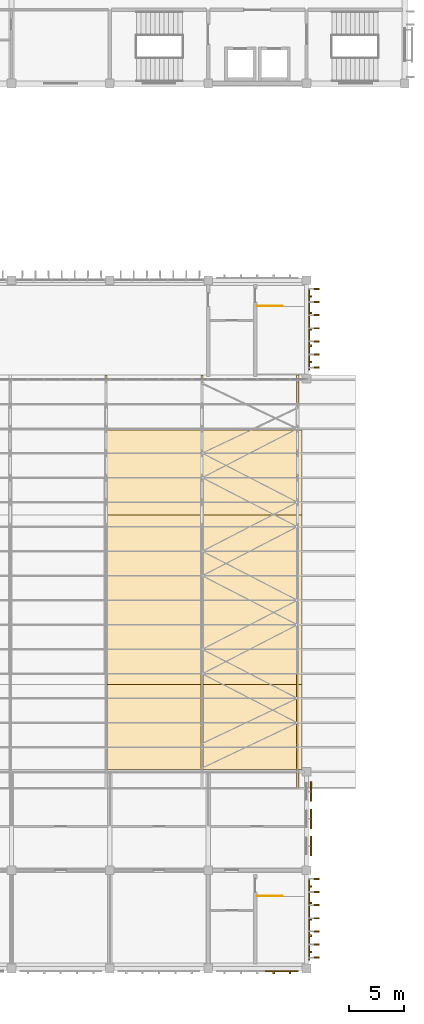
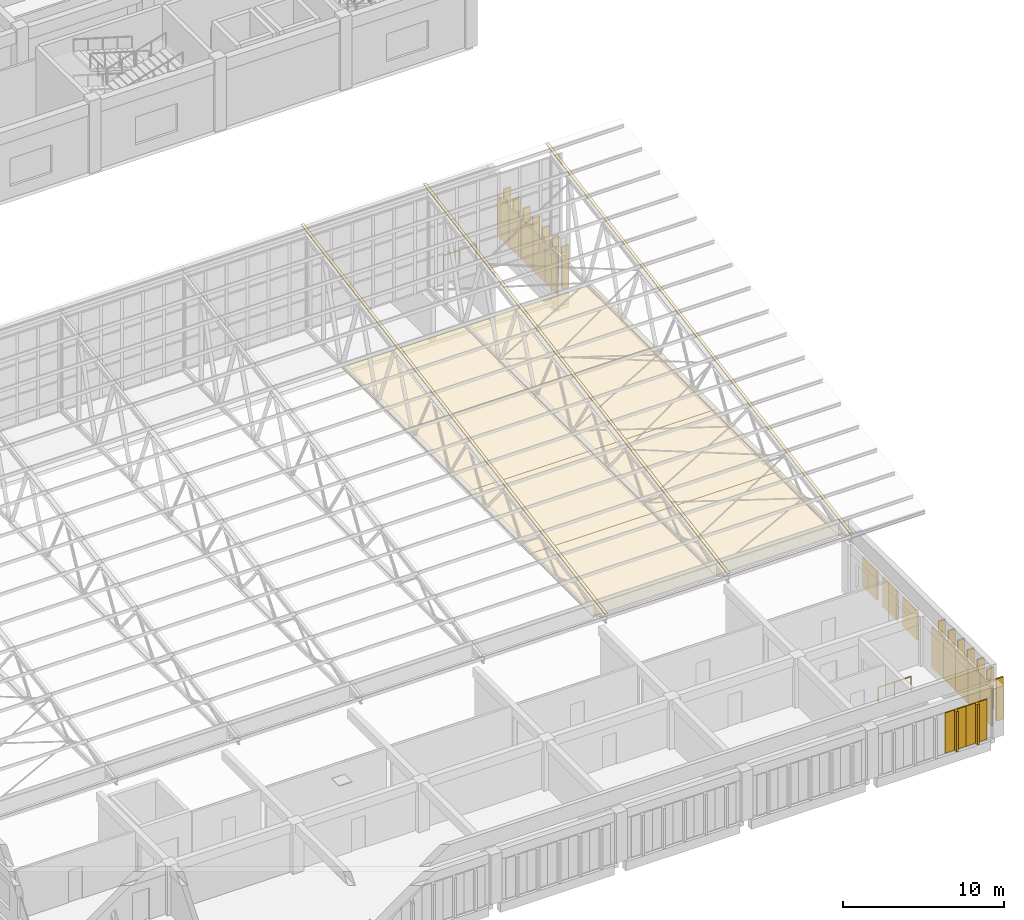
# One storey, part 180 of 185: 41 coverings, 3 shading devices, 2 railings.
"""IFC4 building model written with IfcOpenShell, lengths in metres."""

import ifcopenshell
import ifcopenshell.guid

model = None  # the IFC model being written
_history = None  # IfcOwnerHistory: only IFC2X3 demands one
_inside = {}  # id of a spatial element -> (the spatial element, [elements in it])
_under = {}  # id of a project, library or spatial element -> (it, [spatial elements below it])
_declared = {}  # id of a project -> (the project, [libraries it declares])
_typed = {}  # id of a type object -> (the type object, [elements of that type])
_made_of = {}  # id of a material, layer set ... -> (it, [elements and type objects made of it])


def new_model(schema):
    """Start an empty IFC model of exactly this schema.

    Asked for "IFC4X3", IfcOpenShell would pick the latest addendum, in which some entities
    have other attributes; the version numbers below select the first issue.
    IFC2X3 requires an IfcOwnerHistory on every rooted entity: one is made here for all.
    """
    global model, _history
    if schema == "IFC4X3":
        model = ifcopenshell.file(schema_version=(4, 3, 0, 0))
    else:
        model = ifcopenshell.file(schema=schema)
    _inside.clear()
    _under.clear()
    _declared.clear()
    _typed.clear()
    _made_of.clear()
    _history = None
    if model.schema == "IFC2X3":
        org = make("IfcOrganization", Name="unknown")
        user = make(
            "IfcPersonAndOrganization",
            ThePerson=make("IfcPerson", FamilyName="unknown"),
            TheOrganization=org,
        )
        app = make(
            "IfcApplication",
            ApplicationDeveloper=org,
            Version="unknown",
            ApplicationFullName="unknown",
            ApplicationIdentifier="unknown",
        )
        _history = make(
            "IfcOwnerHistory",
            OwningUser=user,
            OwningApplication=app,
            ChangeAction="ADDED",
            CreationDate=0,
        )
    return model


def make(cls, **values):
    """One entity of the class cls with the attributes given. An attribute that is None is left unset."""
    return model.create_entity(
        cls, **{name: value for name, value in values.items() if value is not None}
    )


def rooted(cls, **values):
    """An entity with a GlobalId (a new one), such as an element, a storey or a relation."""
    return make(cls, GlobalId=ifcopenshell.guid.new(), OwnerHistory=_history, **values)


def si_unit(unit_type, name, prefix=None):
    """IfcSIUnit, for example si_unit("LENGTHUNIT", "METRE", prefix="MILLI")."""
    return make("IfcSIUnit", UnitType=unit_type, Prefix=prefix, Name=name)


def assignment(units):
    """IfcUnitAssignment: the units of a project."""
    return None if units is None else make("IfcUnitAssignment", Units=units)


def point(xyz):
    """IfcCartesianPoint."""
    return None if xyz is None else make("IfcCartesianPoint", Coordinates=xyz)


def direction(xyz):
    """IfcDirection."""
    return None if xyz is None else make("IfcDirection", DirectionRatios=xyz)


def frame(location, z_axis=None, x_axis=None):
    """IfcAxis2Placement3D, a coordinate frame: its origin and axes. An axis left out is left unset."""
    return make(
        "IfcAxis2Placement3D",
        Location=point(location),
        Axis=direction(z_axis),
        RefDirection=direction(x_axis),
    )


def frame_2d(location, x_axis=None):
    """IfcAxis2Placement2D, a coordinate frame in the plane: its origin and x axis."""
    return make(
        "IfcAxis2Placement2D", Location=point(location), RefDirection=direction(x_axis)
    )


def origin():
    """The frame at (0, 0, 0) with its axes left unset."""
    return frame((0.0, 0.0, 0.0))


def origin_2d():
    """The frame at (0, 0) in the plane with its x axis left unset."""
    return frame_2d((0.0, 0.0))


def place(relative_to, where):
    """IfcLocalPlacement: puts the frame where relative to a parent placement (None: the world)."""
    return make(
        "IfcLocalPlacement", PlacementRelTo=relative_to, RelativePlacement=where
    )


def context(
    kind, dimensions, precision=None, world=None, true_north=None, identifier=None
):
    """IfcGeometricRepresentationContext, for example the 3D "Model" context."""
    return make(
        "IfcGeometricRepresentationContext",
        ContextIdentifier=identifier,
        ContextType=kind,
        CoordinateSpaceDimension=dimensions,
        Precision=precision,
        WorldCoordinateSystem=world,
        TrueNorth=true_north,
    )


def subcontext(parent, identifier, kind, view, scale=None):
    """IfcGeometricRepresentationSubContext, for example "Body" below "Model"."""
    return make(
        "IfcGeometricRepresentationSubContext",
        ContextIdentifier=identifier,
        ContextType=kind,
        ParentContext=parent,
        TargetScale=scale,
        TargetView=view,
    )


def project(units=None, contexts=None):
    """IfcProject with its units and contexts."""
    return rooted(
        "IfcProject",
        Name="project",
        RepresentationContexts=contexts,
        UnitsInContext=assignment(units),
    )


def spatial(cls, under=None, at=None, **own):
    """A site, building, storey or space (cls), placed at a placement, below another one or the project."""
    s = rooted(cls, ObjectPlacement=at, **own)
    if under is not None:
        _under.setdefault(under.id(), (under, []))[1].append(s)
    return s


def polyline(points):
    """IfcPolyline through the points."""
    return make("IfcPolyline", Points=[point(p) for p in points])


def profile(cls, at=None, kind="AREA", **sizes):
    """A parametric profile (cls). Its sizes go by their IFC names, for example OverallWidth=200.0."""
    return make(cls, ProfileType=kind, Position=at, **sizes)


def rectangle(**sizes):
    """IfcRectangleProfileDef."""
    return profile("IfcRectangleProfileDef", **sizes)


def circle(**sizes):
    """IfcCircleProfileDef."""
    return profile("IfcCircleProfileDef", **sizes)


def outline(outer, holes=None, kind="AREA"):
    """IfcArbitraryClosedProfileDef: a profile drawn as a closed curve; with holes, ...WithVoids."""
    if holes is None:
        return make("IfcArbitraryClosedProfileDef", ProfileType=kind, OuterCurve=outer)
    return make(
        "IfcArbitraryProfileDefWithVoids",
        ProfileType=kind,
        OuterCurve=outer,
        InnerCurves=holes,
    )


def extrude(swept, where, along, depth):
    """IfcExtrudedAreaSolid: the profile swept, set in the frame where, extruded along a direction by depth."""
    return make(
        "IfcExtrudedAreaSolid",
        SweptArea=swept,
        Position=where,
        ExtrudedDirection=direction(along),
        Depth=depth,
    )


def shape(context_of_items, identifier, shape_type, items):
    """IfcShapeRepresentation: the items that make up one representation, for example the "Body"."""
    return make(
        "IfcShapeRepresentation",
        ContextOfItems=context_of_items,
        RepresentationIdentifier=identifier,
        RepresentationType=shape_type,
        Items=items,
    )


def material(Name=None, Category=None):
    """IfcMaterial."""
    return make("IfcMaterial", Name=Name, Category=Category)


def layer(
    of_material, thickness, ventilated=None, Name=None, Category=None, Priority=None
):
    """IfcMaterialLayer: one layer of a wall or slab, of a material (None: an air gap)."""
    return make(
        "IfcMaterialLayer",
        Material=of_material,
        LayerThickness=thickness,
        IsVentilated=ventilated,
        Name=Name,
        Category=Category,
        Priority=Priority,
    )


def layer_set(layers, Name=None):
    """IfcMaterialLayerSet."""
    return make("IfcMaterialLayerSet", MaterialLayers=layers, LayerSetName=Name)


def constituent(of_material, Name=None, Category=None, fraction=None):
    """IfcMaterialConstituent: one of the materials an element consists of."""
    return make(
        "IfcMaterialConstituent",
        Name=Name,
        Material=of_material,
        Fraction=fraction,
        Category=Category,
    )


def constituent_set(constituents=None, Name=None):
    """IfcMaterialConstituentSet."""
    return make(
        "IfcMaterialConstituentSet", Name=Name, MaterialConstituents=constituents
    )


def made_of(thing, what):
    """Note that an element or type object is made of a material, layer set ...; save() writes the relation."""
    if what is not None:
        _made_of.setdefault(what.id(), (what, []))[1].append(thing)
    return thing


def type_object(cls, material=None, **own):
    """A type object (cls), such as IfcWallType, which elements share."""
    return made_of(rooted(cls, **own), material)


def element(
    cls,
    number,
    at=None,
    inside=None,
    cuts=None,
    type_object=None,
    material=None,
    context=None,
    identifier="Body",
    shape_type=None,
    held_by="IfcProductDefinitionShape",
    body=None,
    shapes=None,
    **own,
):
    """One element of the class cls, such as IfcWall. Its Tag is "e" and its number.

    at: its placement. inside: the storey or other place that contains it. cuts: it is an
    opening in that element (IfcRelVoidsElement). A single representation is given by context,
    identifier, shape_type and body (its items); several are given by shapes. held_by: the class
    of the entity that holds the representations. save() writes the other relations.
    """
    e = rooted(cls, Tag="e%d" % number, ObjectPlacement=at, **own)
    if body is not None:
        shapes = [shape(context, identifier, shape_type, body)]
    if shapes is not None:
        e.Representation = make(held_by, Representations=shapes)
    if inside is not None:
        _inside.setdefault(inside.id(), (inside, []))[1].append(e)
    if cuts is not None:
        rooted(
            "IfcRelVoidsElement", RelatingBuildingElement=cuts, RelatedOpeningElement=e
        )
    if type_object is not None:
        _typed.setdefault(type_object.id(), (type_object, []))[1].append(e)
    return made_of(e, material)


def aggregate(whole, parts):
    """IfcRelAggregates: a whole, such as a stair, and the parts it consists of."""
    return rooted("IfcRelAggregates", RelatingObject=whole, RelatedObjects=parts)


def save(model, path):
    """Write the relations noted so far, then the file.

    IfcRelAggregates (storeys below a building ...), IfcRelContainedInSpatialStructure (elements
    in a storey), IfcRelDefinesByType, IfcRelAssociatesMaterial and IfcRelDeclares: one each for
    every whole, place, type object, material and project.
    """
    for whole, parts in _under.values():
        aggregate(whole, parts)
    for where, things in _inside.values():
        rooted(
            "IfcRelContainedInSpatialStructure",
            RelatedElements=things,
            RelatingStructure=where,
        )
    for kind, things in _typed.values():
        rooted("IfcRelDefinesByType", RelatedObjects=things, RelatingType=kind)
    for what, things in _made_of.values():
        rooted("IfcRelAssociatesMaterial", RelatedObjects=things, RelatingMaterial=what)
    for by, libraries in _declared.values():
        rooted("IfcRelDeclares", RelatingContext=by, RelatedDefinitions=libraries)
    model.write(path)


model = new_model("IFC4")

# Units and contexts
model_context = context("Model", 3, precision=1e-05, world=origin(), true_north=direction((0.0, 1.0)))
body_context = subcontext(model_context, "Body", "Model", "MODEL_VIEW")
ifc_project = project(units=[si_unit("LENGTHUNIT", "METRE"), si_unit("AREAUNIT", "SQUARE_METRE"), si_unit("VOLUMEUNIT", "CUBIC_METRE"), si_unit("PLANEANGLEUNIT", "RADIAN"), si_unit("MASSUNIT", "GRAM", prefix="KILO")], contexts=[model_context])

# Site, building, storey
site_placement = place(None, origin())
site = spatial("IfcSite", under=ifc_project, at=site_placement, CompositionType="ELEMENT")
building_placement = place(site_placement, origin())
building = spatial("IfcBuilding", under=site, at=building_placement, Name="Opaline Strait Convention Centre", CompositionType="ELEMENT")
storey_placement = place(building_placement, frame((0.0, 0.0, 6.0)))
storey = spatial("IfcBuildingStorey", under=building, at=storey_placement, Name="L01", CompositionType="ELEMENT", Elevation=6.0)

# Railings
ifc_material_1 = material(Name="Steel Q235B", Category="steel")
ifc_constituent_1 = constituent(ifc_material_1, Name="Frame")
ifc_material_2 = material(Name="Safety glass, bonded interlayer", Category="glass")
ifc_constituent_2 = constituent(ifc_material_2, Name="Infill")
ifc_constituent_set = constituent_set(constituents=[ifc_constituent_1, ifc_constituent_2], Name="Steel Q235B, Safety glass, bonded interlayer")
railing_type = type_object("IfcRailingType", Name="Guard 1100 steel and glass", PredefinedType="GUARDRAIL", material=ifc_constituent_set)
for number, where, name in (
    (1, (346.449951171875, 69.64990234375, 0.0), "L01 B-STNE top well guard 1"),
    (2, (346.449951171875, 15.64990234375, 0.0), "L01 B-STSE top well guard 1"),
):
    element("IfcRailing", number, at=place(storey_placement, frame(where)), inside=storey, type_object=railing_type, Name=name, PredefinedType="GUARDRAIL", context=body_context, shape_type="SweptSolid", body=[
        extrude(circle(Radius=0.02392578125, at=origin_2d()), frame((0.0, 0.0, 1.076171875), z_axis=(1.0, 0.0, 0.0), x_axis=(0.0, 1.0, 0.0)), (0.0, 0.0, 1.0), 2.35009765625),
        extrude(circle(Radius=0.02099609375, at=origin_2d()), origin(), (0.0, 0.0, 1.0), 1.052001953125),
        extrude(circle(Radius=0.02099609375, at=origin_2d()), frame((1.175048828125, 0.0, 0.0)), (0.0, 0.0, 1.0), 1.052001953125),
        extrude(circle(Radius=0.02099609375, at=origin_2d()), frame((2.35009765625, 0.0, 0.0)), (0.0, 0.0, 1.0), 1.052001953125),
    ])

# Coverings
ifc_material_3 = material(Name="Acoustic mineral fibre ceiling panel, white")
ifc_layer_1 = layer(ifc_material_3, 0.10009765625)
ifc_layer_set_1 = layer_set([ifc_layer_1], Name="Acoustic mineral fibre ceiling panel, white")
covering_type_1 = type_object("IfcCoveringType", Name="Hall acoustic ceiling panel 100", PredefinedType="CEILING", material=ifc_layer_set_1)
for number, where, z_axis, x_axis, name in (
    (3, (337.04296875, 31.08740234375, 4.224853515625), (0.0, 0.0, 1.0), (1.0, 0.0, 0.0), "BK1 hall ceiling panel 1.7"),
    (4, (337.04296875, 38.862548828125, 4.224853515625), (0.0, 0.0, 1.0), (1.0, 0.0, 0.0), "BK1 hall ceiling panel 2.7"),
    (5, (337.04296875, 46.637451171875, 4.224853515625), (0.0, 0.0, 1.0), (1.0, 0.0, 0.0), "BK1 hall ceiling panel 3.7"),
    (6, (337.04296875, 54.41259765625, 4.224853515625), (0.0, 0.0, 1.0), (1.0, 0.0, 0.0), "BK1 hall ceiling panel 4.7"),
    (7, (345.814208984375, 31.08740234375, 4.224853515625), (0.0, 0.0, 1.0), (1.0, 0.0, 0.0), "BK1 hall ceiling panel 1.8"),
    (8, (345.814208984375, 38.862548828125, 4.224853515625), (0.0, 0.0, 1.0), (1.0, 0.0, 0.0), "BK1 hall ceiling panel 2.8"),
    (9, (345.814208984375, 46.637451171875, 4.224853515625), (0.0, 0.0, 1.0), (1.0, 0.0, 0.0), "BK1 hall ceiling panel 3.8"),
    (10, (345.814208984375, 54.41259765625, 4.224853515625), (0.0, 0.0, 1.0), (1.0, 0.0, 0.0), "BK1 hall ceiling panel 4.8"),
):
    element("IfcCovering", number, at=place(storey_placement, frame(where, z_axis=z_axis, x_axis=x_axis)), inside=storey, type_object=covering_type_1, Name=name, PredefinedType="CEILING", context=body_context, shape_type="SweptSolid", body=[
        extrude(rectangle(XDim=8.771484375, YDim=7.77490234375, at=origin_2d()), origin(), (0.0, 0.0, 1.0), 0.10009765625),
    ])
for number, where, z_axis, x_axis, name in (
    (11, (350.39990234375, 31.08740234375, 4.224853515625), (0.0, 0.0, 1.0), (1.0, 0.0, 0.0), "BK1 hall ceiling panel 1.9"),
    (12, (350.39990234375, 38.862548828125, 4.224853515625), (0.0, 0.0, 1.0), (1.0, 0.0, 0.0), "BK1 hall ceiling panel 2.9"),
    (13, (350.39990234375, 46.637451171875, 4.224853515625), (0.0, 0.0, 1.0), (1.0, 0.0, 0.0), "BK1 hall ceiling panel 3.9"),
    (14, (350.39990234375, 54.41259765625, 4.224853515625), (0.0, 0.0, 1.0), (1.0, 0.0, 0.0), "BK1 hall ceiling panel 4.9"),
):
    element("IfcCovering", number, at=place(storey_placement, frame(where, z_axis=z_axis, x_axis=x_axis)), inside=storey, type_object=covering_type_1, Name=name, PredefinedType="CEILING", context=body_context, shape_type="SweptSolid", body=[
        extrude(rectangle(XDim=0.39990234375, YDim=7.77490234375, at=origin_2d()), origin(), (0.0, 0.0, 1.0), 0.10009765625),
    ])
ifc_material_4 = material(Name="Concrete C40 precast white", Category="concrete")
ifc_layer_2 = layer(ifc_material_4, 0.300048828125)
ifc_layer_set_2 = layer_set([ifc_layer_2], Name="Concrete C40 precast white")
covering_type_2 = type_object("IfcCoveringType", Name="Ribbed precast panel white 1500", PredefinedType="CLADDING", material=ifc_layer_set_2)
covering_1_placement = place(storey_placement, origin())
element("IfcCovering", 15, at=covering_1_placement, inside=storey, type_object=covering_type_2, Name="Ribbed panel L01-E9 1", PredefinedType="CLADDING", context=body_context, shape_type="SweptSolid", body=[
    extrude(outline(polyline([(351.199951171875, 9.75), (351.199951171875, 11.25), (351.280029296875, 11.25), (351.280029296875, 10.574951171875), (351.5, 10.574951171875), (351.5, 10.425048828125), (351.280029296875, 10.425048828125), (351.280029296875, 9.75), (351.199951171875, 9.75)])), origin(), (0.0, 0.0, 1.0), 3.050048828125),
])
covering_2_placement = place(storey_placement, origin())
element("IfcCovering", 16, at=covering_2_placement, inside=storey, type_object=covering_type_2, Name="Ribbed panel L01-E9 2", PredefinedType="CLADDING", context=body_context, shape_type="SweptSolid", body=[
    extrude(outline(polyline([(351.199951171875, 11.25), (351.199951171875, 12.75), (351.280029296875, 12.75), (351.280029296875, 12.074951171875), (351.5, 12.074951171875), (351.5, 11.925048828125), (351.280029296875, 11.925048828125), (351.280029296875, 11.25), (351.199951171875, 11.25)])), origin(), (0.0, 0.0, 1.0), 3.050048828125),
])
covering_3_placement = place(storey_placement, origin())
element("IfcCovering", 17, at=covering_3_placement, inside=storey, type_object=covering_type_2, Name="Ribbed panel L01-E9 3", PredefinedType="CLADDING", context=body_context, shape_type="SweptSolid", body=[
    extrude(outline(polyline([(351.199951171875, 12.75), (351.199951171875, 14.25), (351.280029296875, 14.25), (351.280029296875, 13.574951171875), (351.5, 13.574951171875), (351.5, 13.425048828125), (351.280029296875, 13.425048828125), (351.280029296875, 12.75), (351.199951171875, 12.75)])), origin(), (0.0, 0.0, 1.0), 3.050048828125),
])
covering_4_placement = place(storey_placement, origin())
element("IfcCovering", 18, at=covering_4_placement, inside=storey, type_object=covering_type_2, Name="Ribbed panel L01-E9 4", PredefinedType="CLADDING", context=body_context, shape_type="SweptSolid", body=[
    extrude(outline(polyline([(351.199951171875, 14.25), (351.199951171875, 15.75), (351.280029296875, 15.75), (351.280029296875, 15.074951171875), (351.5, 15.074951171875), (351.5, 14.925048828125), (351.280029296875, 14.925048828125), (351.280029296875, 14.25), (351.199951171875, 14.25)])), origin(), (0.0, 0.0, 1.0), 3.050048828125),
])
covering_5_placement = place(storey_placement, origin())
element("IfcCovering", 19, at=covering_5_placement, inside=storey, type_object=covering_type_2, Name="Ribbed panel L01-E9 5", PredefinedType="CLADDING", context=body_context, shape_type="SweptSolid", body=[
    extrude(outline(polyline([(351.199951171875, 15.75), (351.199951171875, 17.25), (351.280029296875, 17.25), (351.280029296875, 16.574951171875), (351.5, 16.574951171875), (351.5, 16.425048828125), (351.280029296875, 16.425048828125), (351.280029296875, 15.75), (351.199951171875, 15.75)])), origin(), (0.0, 0.0, 1.0), 3.050048828125),
])
covering_6_placement = place(storey_placement, origin())
element("IfcCovering", 20, at=covering_6_placement, inside=storey, type_object=covering_type_2, Name="Ribbed panel L01-E63 1", PredefinedType="CLADDING", context=body_context, shape_type="SweptSolid", body=[
    extrude(outline(polyline([(351.199951171875, 63.75), (351.199951171875, 65.25), (351.280029296875, 65.25), (351.280029296875, 64.574951171875), (351.5, 64.574951171875), (351.5, 64.425048828125), (351.280029296875, 64.425048828125), (351.280029296875, 63.75), (351.199951171875, 63.75)])), origin(), (0.0, 0.0, 1.0), 3.050048828125),
])
covering_7_placement = place(storey_placement, origin())
element("IfcCovering", 21, at=covering_7_placement, inside=storey, type_object=covering_type_2, Name="Ribbed panel L01-E63 2", PredefinedType="CLADDING", context=body_context, shape_type="SweptSolid", body=[
    extrude(outline(polyline([(351.199951171875, 65.25), (351.199951171875, 66.75), (351.280029296875, 66.75), (351.280029296875, 66.074951171875), (351.5, 66.074951171875), (351.5, 65.925048828125), (351.280029296875, 65.925048828125), (351.280029296875, 65.25), (351.199951171875, 65.25)])), origin(), (0.0, 0.0, 1.0), 3.050048828125),
])
covering_8_placement = place(storey_placement, origin())
element("IfcCovering", 22, at=covering_8_placement, inside=storey, type_object=covering_type_2, Name="Ribbed panel L01-E63 3", PredefinedType="CLADDING", context=body_context, shape_type="SweptSolid", body=[
    extrude(outline(polyline([(351.199951171875, 66.75), (351.199951171875, 68.25), (351.280029296875, 68.25), (351.280029296875, 67.574951171875), (351.5, 67.574951171875), (351.5, 67.425048828125), (351.280029296875, 67.425048828125), (351.280029296875, 66.75), (351.199951171875, 66.75)])), origin(), (0.0, 0.0, 1.0), 3.050048828125),
])
covering_9_placement = place(storey_placement, origin())
element("IfcCovering", 23, at=covering_9_placement, inside=storey, type_object=covering_type_2, Name="Ribbed panel L01-E63 4", PredefinedType="CLADDING", context=body_context, shape_type="SweptSolid", body=[
    extrude(outline(polyline([(351.199951171875, 68.25), (351.199951171875, 69.75), (351.280029296875, 69.75), (351.280029296875, 69.074951171875), (351.5, 69.074951171875), (351.5, 68.925048828125), (351.280029296875, 68.925048828125), (351.280029296875, 68.25), (351.199951171875, 68.25)])), origin(), (0.0, 0.0, 1.0), 3.050048828125),
])
covering_10_placement = place(storey_placement, origin())
element("IfcCovering", 24, at=covering_10_placement, inside=storey, type_object=covering_type_2, Name="Ribbed panel L01-E63 5", PredefinedType="CLADDING", context=body_context, shape_type="SweptSolid", body=[
    extrude(outline(polyline([(351.199951171875, 69.75), (351.199951171875, 71.25), (351.280029296875, 71.25), (351.280029296875, 70.574951171875), (351.5, 70.574951171875), (351.5, 70.425048828125), (351.280029296875, 70.425048828125), (351.280029296875, 69.75), (351.199951171875, 69.75)])), origin(), (0.0, 0.0, 1.0), 3.050048828125),
])
covering_11_placement = place(storey_placement, origin())
element("IfcCovering", 25, at=covering_11_placement, inside=storey, type_object=covering_type_2, Name="Ribbed panel L01-S6 4", PredefinedType="CLADDING", context=body_context, shape_type="SweptSolid", body=[
    extrude(outline(polyline([(347.25, 8.800048828125), (348.75, 8.800048828125), (348.75, 8.719970703125), (348.074951171875, 8.719970703125), (348.074951171875, 8.5), (347.925048828125, 8.5), (347.925048828125, 8.719970703125), (347.25, 8.719970703125), (347.25, 8.800048828125)])), origin(), (0.0, 0.0, 1.0), 3.050048828125),
])
covering_12_placement = place(storey_placement, origin())
element("IfcCovering", 26, at=covering_12_placement, inside=storey, type_object=covering_type_2, Name="Ribbed panel L01-S6 5", PredefinedType="CLADDING", context=body_context, shape_type="SweptSolid", body=[
    extrude(outline(polyline([(348.75, 8.800048828125), (350.25, 8.800048828125), (350.25, 8.719970703125), (349.574951171875, 8.719970703125), (349.574951171875, 8.5), (349.425048828125, 8.5), (349.425048828125, 8.719970703125), (348.75, 8.719970703125), (348.75, 8.800048828125)])), origin(), (0.0, 0.0, 1.0), 3.050048828125),
])
ifc_material_5 = material(Name="Standing seam roofing, white aluminium", Category="aluminium")
ifc_layer_3 = layer(ifc_material_5, 0.02001953125)
ifc_layer_set_3 = layer_set([ifc_layer_3], Name="Standing seam roofing, white aluminium")
covering_type_3 = type_object("IfcCoveringType", Name="Roof seam cap 200 x 20", PredefinedType="ROOFING", material=ifc_layer_set_3)
for number, where, z_axis, x_axis, name in (
    (27, (332.55712890625, 25.5, 5.49951171875), (0.0, -0.173651076417, 0.98480724188), (1.0, 0.0, 0.0), "BSC1 roof seam cap 6"),
    (28, (341.32861328125, 25.5, 5.49951171875), (0.0, -0.173651076417, 0.98480724188), (1.0, 0.0, 0.0), "BSC1 roof seam cap 7"),
    (29, (350.10009765625, 25.5, 5.49951171875), (0.0, -0.173651076417, 0.98480724188), (1.0, 0.0, 0.0), "BSC1 roof seam cap 8"),
):
    element("IfcCovering", number, at=place(storey_placement, frame(where, z_axis=z_axis, x_axis=x_axis)), inside=storey, type_object=covering_type_3, Name=name, PredefinedType="ROOFING", context=body_context, shape_type="SweptSolid", body=[
        extrude(outline(polyline([(0.0, 0.0), (0.199951171875, 0.0), (0.199951171875, 38.383195432200466), (0.0, 38.383195432200466), (0.0, 0.0)])), origin(), (0.0, 0.0, -1.0), 0.02001953125),
    ])

# Shading devices
ifc_material_6 = material(Name="Aluminium louvre blades", Category="aluminium")
ifc_layer_4 = layer(ifc_material_6, 0.1201171875)
ifc_layer_set_4 = layer_set([ifc_layer_4], Name="Aluminium louvre blades")
shading_device_type = type_object("IfcShadingDeviceType", Name="Storm louvre 1800 x 2200", PredefinedType="JALOUSIE", material=ifc_layer_set_4)
for number, where, z_axis, x_axis, name in (
    (30, (351.409912109375, 20.199951171875, 0.7001953125), (0.0, 0.0, 1.0), (1.0, 0.0, 0.0), "Storm louvre L01 1"),
    (31, (351.409912109375, 22.699951171875, 0.7001953125), (0.0, 0.0, 1.0), (1.0, 0.0, 0.0), "Storm louvre L01 2"),
    (32, (351.409912109375, 25.199951171875, 0.7001953125), (0.0, 0.0, 1.0), (1.0, 0.0, 0.0), "Storm louvre L01 3"),
):
    element("IfcShadingDevice", number, at=place(storey_placement, frame(where, z_axis=z_axis, x_axis=x_axis)), inside=storey, type_object=shading_device_type, Name=name, PredefinedType="JALOUSIE", context=body_context, shape_type="SweptSolid", body=[
        extrude(rectangle(XDim=0.1201171875, YDim=1.800048828125, at=origin_2d()), origin(), (0.0, 0.0, 1.0), 2.199951171875),
    ])

# Coverings
ifc_material_7 = material(Name="Powder-coated aluminium white", Category="aluminium")
ifc_layer_5 = layer(ifc_material_7, 0.1201171875)
ifc_layer_set_5 = layer_set([ifc_layer_5], Name="Powder-coated aluminium white")
covering_type_4 = type_object("IfcCoveringType", Name="Storm louvre fin 120 x 500", PredefinedType="CLADDING", material=ifc_layer_set_5)
for number, where, z_axis, x_axis, name in (
    (33, (351.89990234375, 10.0, 0.14990234375), (0.0, 0.0, 1.0), (1.0, 0.0, 0.0), "BX2 storm louvre fin east 82"),
    (34, (351.89990234375, 11.199951171875, 0.14990234375), (0.0, 0.0, 1.0), (1.0, 0.0, 0.0), "BX2 storm louvre fin east 83"),
    (35, (351.89990234375, 12.39990234375, 0.14990234375), (0.0, 0.0, 1.0), (1.0, 0.0, 0.0), "BX2 storm louvre fin east 84"),
    (36, (351.89990234375, 13.60009765625, 0.14990234375), (0.0, 0.0, 1.0), (1.0, 0.0, 0.0), "BX2 storm louvre fin east 85"),
    (37, (351.89990234375, 14.800048828125, 0.14990234375), (0.0, 0.0, 1.0), (1.0, 0.0, 0.0), "BX2 storm louvre fin east 86"),
    (38, (351.89990234375, 16.0, 0.14990234375), (0.0, 0.0, 1.0), (1.0, 0.0, 0.0), "BX2 storm louvre fin east 87"),
    (39, (351.89990234375, 17.199951171875, 0.14990234375), (0.0, 0.0, 1.0), (1.0, 0.0, 0.0), "BX2 storm louvre fin east 88"),
    (40, (351.89990234375, 64.0, 0.14990234375), (0.0, 0.0, 1.0), (1.0, 0.0, 0.0), "BX2 storm louvre fin east 89"),
    (41, (351.89990234375, 65.199951171875, 0.14990234375), (0.0, 0.0, 1.0), (1.0, 0.0, 0.0), "BX2 storm louvre fin east 90"),
    (42, (351.89990234375, 66.39990234375, 0.14990234375), (0.0, 0.0, 1.0), (1.0, 0.0, 0.0), "BX2 storm louvre fin east 91"),
    (43, (351.89990234375, 67.60009765625, 0.14990234375), (0.0, 0.0, 1.0), (1.0, 0.0, 0.0), "BX2 storm louvre fin east 92"),
    (44, (351.89990234375, 68.800048828125, 0.14990234375), (0.0, 0.0, 1.0), (1.0, 0.0, 0.0), "BX2 storm louvre fin east 93"),
    (45, (351.89990234375, 70.0, 0.14990234375), (0.0, 0.0, 1.0), (1.0, 0.0, 0.0), "BX2 storm louvre fin east 94"),
    (46, (351.89990234375, 71.199951171875, 0.14990234375), (0.0, 0.0, 1.0), (1.0, 0.0, 0.0), "BX2 storm louvre fin east 95"),
):
    element("IfcCovering", number, at=place(storey_placement, frame(where, z_axis=z_axis, x_axis=x_axis)), inside=storey, type_object=covering_type_4, Name=name, PredefinedType="CLADDING", context=body_context, shape_type="SweptSolid", body=[
        extrude(rectangle(XDim=0.5, YDim=0.1201171875, at=origin_2d()), origin(), (0.0, 0.0, 1.0), 3.199951171875),
    ])

save(model, "model.ifc")
